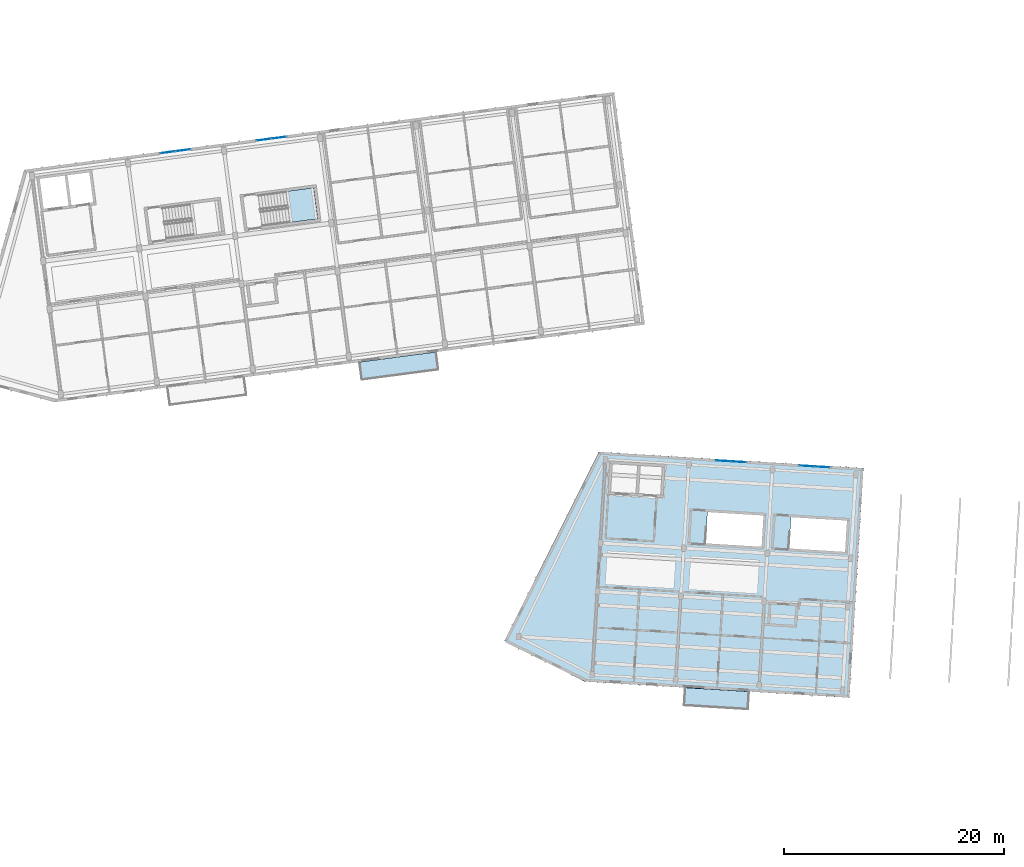
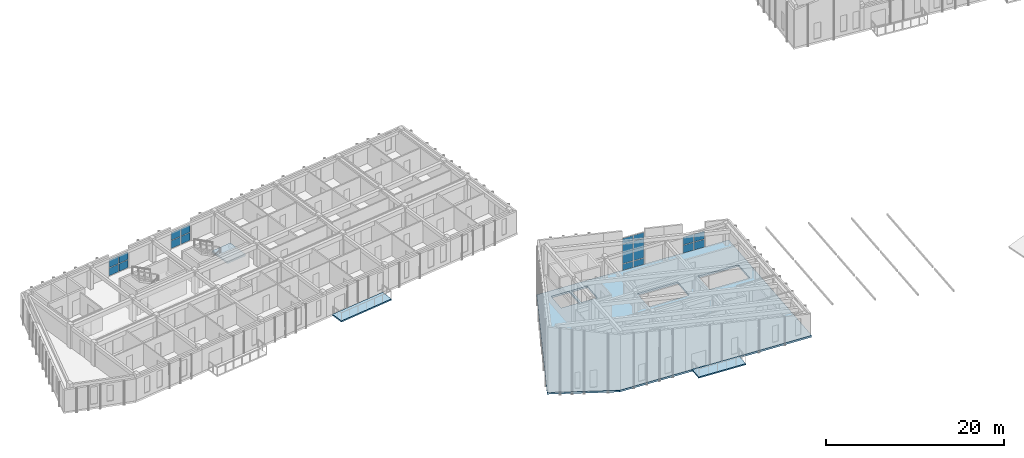
# One storey, part 15 of 45: 18 plates, 4 slabs, 5 elements without a shape of their own.
"""IFC4 building model written with IfcOpenShell, lengths in metres."""

from ifc_helpers import new_model, si_unit, direction, frame, origin, origin_2d, place, context, subcontext, project, spatial, polyline, rectangle, outline, extrude, material, layer, layer_set, type_object, element, aggregate, save


model = new_model("IFC4")

# Units and contexts
model_context = context("Model", 3, precision=1e-05, world=origin(), true_north=direction((0.0, 1.0)))
body_context = subcontext(model_context, "Body", "Model", "MODEL_VIEW")
ifc_project = project(units=[si_unit("LENGTHUNIT", "METRE"), si_unit("AREAUNIT", "SQUARE_METRE"), si_unit("VOLUMEUNIT", "CUBIC_METRE"), si_unit("PLANEANGLEUNIT", "RADIAN"), si_unit("MASSUNIT", "GRAM", prefix="KILO")], contexts=[model_context])

# Site, building, storey
site_placement = place(None, origin())
site = spatial("IfcSite", under=ifc_project, at=site_placement, CompositionType="ELEMENT")
building_placement = place(site_placement, origin())
building = spatial("IfcBuilding", under=site, at=building_placement, Name="Kestramere Prow Commons", CompositionType="ELEMENT")
storey_placement = place(building_placement, frame((0.0, 0.0, 31.14990234375)))
storey = spatial("IfcBuildingStorey", under=building, at=storey_placement, Name="L09", CompositionType="ELEMENT", Elevation=31.14990234375)

# Curtain wall, plates
ifc_material_1 = material(Name="Anodised Aluminium and Low-E Glass", Category="aluminium")
curtain_wall_type_1 = type_object("IfcCurtainWallType", Name="CW-03 Glazed Curtain Wall 2830x2320", PredefinedType="USERDEFINED", material=ifc_material_1)
curtain_wall_1_placement = place(storey_placement, origin())
curtain_wall_1 = element("IfcCurtainWall", 1, at=curtain_wall_1_placement, inside=storey, type_object=curtain_wall_type_1, Name="Block A L09 Stairwell Vertical Glazing 2", ObjectType="GLAZED CURTAIN WALL", PredefinedType="USERDEFINED")
ifc_material_2 = material(Name="Low-E Laminated Double Glazing", Category="glass")
ifc_layer_1 = layer(ifc_material_2, 0.028076171875)
ifc_layer_set_1 = layer_set([ifc_layer_1], Name="Low-E Laminated Double Glazing")
plate_type = type_object("IfcPlateType", Name="CW-PNL-28", PredefinedType="CURTAIN_PANEL", material=ifc_layer_set_1)
plate_1_placement = place(storey_placement, frame((20.922607421875, 93.982177734375, 0.065185546875), z_axis=(0.0, 0.0, 1.0), x_axis=(0.991444867297, 0.13052614723, 0.0)))
plate_1 = element("IfcPlate", 2, at=plate_1_placement, type_object=plate_type, Name="CW-03 panel 1.1", PredefinedType="CURTAIN_PANEL", context=body_context, shape_type="SweptSolid", body=[
    extrude(rectangle(XDim=1.3173828125, YDim=0.028076171875, at=origin_2d()), origin(), (0.0, 0.0, 1.0), 1.0625),
])
plate_2_placement = place(storey_placement, frame((20.922607421875, 93.982177734375, 1.192626953125), z_axis=(0.0, 0.0, 1.0), x_axis=(0.991444867297, 0.13052614723, 0.0)))
plate_2 = element("IfcPlate", 3, at=plate_2_placement, type_object=plate_type, Name="CW-03 panel 1.2", PredefinedType="CURTAIN_PANEL", context=body_context, shape_type="SweptSolid", body=[
    extrude(rectangle(XDim=1.3173828125, YDim=0.028076171875, at=origin_2d()), origin(), (0.0, 0.0, 1.0), 1.0625),
])
plate_3_placement = place(storey_placement, frame((22.29345703125, 94.16259765625, 0.065185546875), z_axis=(0.0, 0.0, 1.0), x_axis=(0.991444867297, 0.13052614723, 0.0)))
plate_3 = element("IfcPlate", 4, at=plate_3_placement, type_object=plate_type, Name="CW-03 panel 2.1", PredefinedType="CURTAIN_PANEL", context=body_context, shape_type="SweptSolid", body=[
    extrude(rectangle(XDim=1.3173828125, YDim=0.028076171875, at=origin_2d()), origin(), (0.0, 0.0, 1.0), 1.0625),
])
plate_4_placement = place(storey_placement, frame((22.29345703125, 94.16259765625, 1.192626953125), z_axis=(0.0, 0.0, 1.0), x_axis=(0.991444867297, 0.13052614723, 0.0)))
plate_4 = element("IfcPlate", 5, at=plate_4_placement, type_object=plate_type, Name="CW-03 panel 2.2", PredefinedType="CURTAIN_PANEL", context=body_context, shape_type="SweptSolid", body=[
    extrude(rectangle(XDim=1.3173828125, YDim=0.028076171875, at=origin_2d()), origin(), (0.0, 0.0, 1.0), 1.0625),
])
aggregate(curtain_wall_1, [plate_1, plate_2, plate_3, plate_4])

curtain_wall_2_placement = place(storey_placement, origin())
curtain_wall_2 = element("IfcCurtainWall", 6, at=curtain_wall_2_placement, inside=storey, type_object=curtain_wall_type_1, Name="Block A L09 Stairwell Vertical Glazing 3", ObjectType="GLAZED CURTAIN WALL", PredefinedType="USERDEFINED")
plate_5_placement = place(storey_placement, frame((29.6474609375, 95.130859375, 0.065185546875), z_axis=(0.0, 0.0, 1.0), x_axis=(0.991444821571, 0.130526494555, 0.0)))
plate_5 = element("IfcPlate", 7, at=plate_5_placement, type_object=plate_type, Name="CW-03 panel 1.1", PredefinedType="CURTAIN_PANEL", context=body_context, shape_type="SweptSolid", body=[
    extrude(rectangle(XDim=1.3173828125, YDim=0.028076171875, at=origin_2d()), origin(), (0.0, 0.0, 1.0), 1.0625),
])
plate_6_placement = place(storey_placement, frame((29.6474609375, 95.130859375, 1.192626953125), z_axis=(0.0, 0.0, 1.0), x_axis=(0.991444821571, 0.130526494555, 0.0)))
plate_6 = element("IfcPlate", 8, at=plate_6_placement, type_object=plate_type, Name="CW-03 panel 1.2", PredefinedType="CURTAIN_PANEL", context=body_context, shape_type="SweptSolid", body=[
    extrude(rectangle(XDim=1.3173828125, YDim=0.028076171875, at=origin_2d()), origin(), (0.0, 0.0, 1.0), 1.0625),
])
plate_7_placement = place(storey_placement, frame((31.01806640625, 95.311279296875, 0.065185546875), z_axis=(0.0, 0.0, 1.0), x_axis=(0.991444821571, 0.130526494555, 0.0)))
plate_7 = element("IfcPlate", 9, at=plate_7_placement, type_object=plate_type, Name="CW-03 panel 2.1", PredefinedType="CURTAIN_PANEL", context=body_context, shape_type="SweptSolid", body=[
    extrude(rectangle(XDim=1.3173828125, YDim=0.028076171875, at=origin_2d()), origin(), (0.0, 0.0, 1.0), 1.0625),
])
plate_8_placement = place(storey_placement, frame((31.01806640625, 95.311279296875, 1.192626953125), z_axis=(0.0, 0.0, 1.0), x_axis=(0.991444821571, 0.130526494555, 0.0)))
plate_8 = element("IfcPlate", 10, at=plate_8_placement, type_object=plate_type, Name="CW-03 panel 2.2", PredefinedType="CURTAIN_PANEL", context=body_context, shape_type="SweptSolid", body=[
    extrude(rectangle(XDim=1.3173828125, YDim=0.028076171875, at=origin_2d()), origin(), (0.0, 0.0, 1.0), 1.0625),
])
aggregate(curtain_wall_2, [plate_5, plate_6, plate_7, plate_8])

curtain_wall_type_2 = type_object("IfcCurtainWallType", Name="CW-08 Glazed Curtain Wall 2830x4540", PredefinedType="USERDEFINED", material=ifc_material_1)
curtain_wall_3_placement = place(storey_placement, origin())
curtain_wall_3 = element("IfcCurtainWall", 11, at=curtain_wall_3_placement, inside=storey, type_object=curtain_wall_type_2, Name="Block C L09 Stairwell Vertical Glazing 2", ObjectType="GLAZED CURTAIN WALL", PredefinedType="USERDEFINED")
plate_9_placement = place(storey_placement, frame((71.419921875, 65.93359375, 0.0751953125), z_axis=(0.0, 0.0, 1.0), x_axis=(0.99813480569, -0.061048420708, 0.0)))
plate_9 = element("IfcPlate", 12, at=plate_9_placement, type_object=plate_type, Name="CW-08 panel 1.1", PredefinedType="CURTAIN_PANEL", context=body_context, shape_type="SweptSolid", body=[
    extrude(rectangle(XDim=1.302490234375, YDim=0.028076171875, at=origin_2d()), origin(), (0.0, 0.0, 1.0), 0.83740234375),
])
plate_10_placement = place(storey_placement, frame((71.419921875, 65.93359375, 0.98779296875), z_axis=(0.0, 0.0, 1.0), x_axis=(0.99813480569, -0.061048420708, 0.0)))
plate_10 = element("IfcPlate", 13, at=plate_10_placement, type_object=plate_type, Name="CW-08 panel 1.2", PredefinedType="CURTAIN_PANEL", context=body_context, shape_type="SweptSolid", body=[
    extrude(rectangle(XDim=1.302490234375, YDim=0.028076171875, at=origin_2d()), origin(), (0.0, 0.0, 1.0), 2.659912109375),
])
plate_11_placement = place(storey_placement, frame((71.419921875, 65.93359375, 3.72265625), z_axis=(0.0, 0.0, 1.0), x_axis=(0.99813480569, -0.061048420708, 0.0)))
plate_11 = element("IfcPlate", 14, at=plate_11_placement, type_object=plate_type, Name="CW-08 panel 1.3", PredefinedType="CURTAIN_PANEL", context=body_context, shape_type="SweptSolid", body=[
    extrude(rectangle(XDim=1.302490234375, YDim=0.028076171875, at=origin_2d()), origin(), (0.0, 0.0, 1.0), 0.73779296875),
])
plate_12_placement = place(storey_placement, frame((72.794921875, 65.849365234375, 0.0751953125), z_axis=(0.0, 0.0, 1.0), x_axis=(0.99813480569, -0.061048420708, 0.0)))
plate_12 = element("IfcPlate", 15, at=plate_12_placement, type_object=plate_type, Name="CW-08 panel 2.1", PredefinedType="CURTAIN_PANEL", context=body_context, shape_type="SweptSolid", body=[
    extrude(rectangle(XDim=1.302490234375, YDim=0.028076171875, at=origin_2d()), origin(), (0.0, 0.0, 1.0), 0.83740234375),
])
plate_13_placement = place(storey_placement, frame((72.794921875, 65.849365234375, 0.98779296875), z_axis=(0.0, 0.0, 1.0), x_axis=(0.99813480569, -0.061048420708, 0.0)))
plate_13 = element("IfcPlate", 16, at=plate_13_placement, type_object=plate_type, Name="CW-08 panel 2.2", PredefinedType="CURTAIN_PANEL", context=body_context, shape_type="SweptSolid", body=[
    extrude(rectangle(XDim=1.302490234375, YDim=0.028076171875, at=origin_2d()), origin(), (0.0, 0.0, 1.0), 2.659912109375),
])
plate_14_placement = place(storey_placement, frame((72.794921875, 65.849365234375, 3.72265625), z_axis=(0.0, 0.0, 1.0), x_axis=(0.99813480569, -0.061048420708, 0.0)))
plate_14 = element("IfcPlate", 17, at=plate_14_placement, type_object=plate_type, Name="CW-08 panel 2.3", PredefinedType="CURTAIN_PANEL", context=body_context, shape_type="SweptSolid", body=[
    extrude(rectangle(XDim=1.302490234375, YDim=0.028076171875, at=origin_2d()), origin(), (0.0, 0.0, 1.0), 0.73779296875),
])
aggregate(curtain_wall_3, [plate_9, plate_10, plate_11, plate_12, plate_13, plate_14])

curtain_wall_4_placement = place(storey_placement, origin())
curtain_wall_4 = element("IfcCurtainWall", 18, at=curtain_wall_4_placement, inside=storey, type_object=curtain_wall_type_1, Name="Block C L09 Stairwell Vertical Glazing 3", ObjectType="GLAZED CURTAIN WALL", PredefinedType="USERDEFINED")
plate_15_placement = place(storey_placement, frame((79.003173828125, 65.4697265625, 0.065185546875), z_axis=(0.0, 0.0, 1.0), x_axis=(0.998134807007, -0.061048399176, 0.0)))
plate_15 = element("IfcPlate", 19, at=plate_15_placement, type_object=plate_type, Name="CW-03 panel 1.1", PredefinedType="CURTAIN_PANEL", context=body_context, shape_type="SweptSolid", body=[
    extrude(rectangle(XDim=1.3173828125, YDim=0.028076171875, at=origin_2d()), origin(), (0.0, 0.0, 1.0), 1.0625),
])
plate_16_placement = place(storey_placement, frame((79.003173828125, 65.4697265625, 1.192626953125), z_axis=(0.0, 0.0, 1.0), x_axis=(0.998134807007, -0.061048399176, 0.0)))
plate_16 = element("IfcPlate", 20, at=plate_16_placement, type_object=plate_type, Name="CW-03 panel 1.2", PredefinedType="CURTAIN_PANEL", context=body_context, shape_type="SweptSolid", body=[
    extrude(rectangle(XDim=1.3173828125, YDim=0.028076171875, at=origin_2d()), origin(), (0.0, 0.0, 1.0), 1.0625),
])
plate_17_placement = place(storey_placement, frame((80.383056640625, 65.38525390625, 0.065185546875), z_axis=(0.0, 0.0, 1.0), x_axis=(0.998134807007, -0.061048399176, 0.0)))
plate_17 = element("IfcPlate", 21, at=plate_17_placement, type_object=plate_type, Name="CW-03 panel 2.1", PredefinedType="CURTAIN_PANEL", context=body_context, shape_type="SweptSolid", body=[
    extrude(rectangle(XDim=1.3173828125, YDim=0.028076171875, at=origin_2d()), origin(), (0.0, 0.0, 1.0), 1.0625),
])
plate_18_placement = place(storey_placement, frame((80.383056640625, 65.38525390625, 1.192626953125), z_axis=(0.0, 0.0, 1.0), x_axis=(0.998134807007, -0.061048399176, 0.0)))
plate_18 = element("IfcPlate", 22, at=plate_18_placement, type_object=plate_type, Name="CW-03 panel 2.2", PredefinedType="CURTAIN_PANEL", context=body_context, shape_type="SweptSolid", body=[
    extrude(rectangle(XDim=1.3173828125, YDim=0.028076171875, at=origin_2d()), origin(), (0.0, 0.0, 1.0), 1.0625),
])
aggregate(curtain_wall_4, [plate_15, plate_16, plate_17, plate_18])

# Slabs
ifc_material_3 = material(Name="Precast concrete C40/50", Category="concrete")
ifc_layer_2 = layer(ifc_material_3, 0.179931640625)
ifc_layer_set_2 = layer_set([ifc_layer_2], Name="Precast concrete C40/50")
slab_type_1 = type_object("IfcSlabType", Name="SL-BALC-180", PredefinedType="FLOOR", material=ifc_layer_set_2)
slab_1_placement = place(storey_placement, frame((0.0, 0.0, -0.179931640625)))
element("IfcSlab", 23, at=slab_1_placement, inside=storey, type_object=slab_type_1, Name="Block A L09 Apartment Balcony Slab 4", PredefinedType="FLOOR", context=body_context, shape_type="SweptSolid", body=[
    extrude(outline(polyline([(38.51708984375, 73.276611328125), (45.556396484375, 74.203369140625), (45.341064453125, 75.839111328125), (38.3017578125, 74.912353515625), (38.51708984375, 73.276611328125)])), origin(), (0.0, 0.0, 1.0), 0.179931640625),
])
slab_2_placement = place(storey_placement, frame((0.0, 0.0, -0.179931640625)))
element("IfcSlab", 24, at=slab_2_placement, inside=storey, type_object=slab_type_1, Name="Block C L09 Apartment Balcony Slab 2", PredefinedType="FLOOR", context=body_context, shape_type="SweptSolid", body=[
    extrude(outline(polyline([(67.7939453125, 43.6884765625), (73.682861328125, 43.328125), (73.783447265625, 44.97509765625), (67.89453125, 45.33544921875), (67.7939453125, 43.6884765625)])), origin(), (0.0, 0.0, 1.0), 0.179931640625),
])
ifc_layer_3 = layer(ifc_material_3, 0.25)
ifc_layer_set_3 = layer_set([ifc_layer_3], Name="Precast concrete C40/50")
slab_type_2 = type_object("IfcSlabType", Name="SL-HC-250", PredefinedType="FLOOR", material=ifc_layer_set_3)
slab_3_placement = place(storey_placement, frame((0.0, 0.0, -0.25)))
element("IfcSlab", 25, at=slab_3_placement, inside=storey, type_object=slab_type_2, Name="Block C L09 Hollowcore Floor Slab", PredefinedType="FLOOR", context=body_context, shape_type="SweptSolid", body=[
    extrude(outline(polyline([(51.52392578125, 49.5927734375), (58.8115234375, 45.890869140625), (82.86669921875, 44.419677734375), (84.142578125, 65.28076171875), (60.08740234375, 66.751953125), (51.52392578125, 49.5927734375)]), holes=[polyline([(61.168212890625, 63.129150390625), (63.464111328125, 62.98876953125), (63.61962890625, 65.533935546875), (61.323974609375, 65.67431640625), (61.168212890625, 63.129150390625)]), polyline([(63.713623046875, 62.973388671875), (65.709716796875, 62.851318359375), (65.865478515625, 65.396728515625), (63.869140625, 65.518798828125), (63.713623046875, 62.973388671875)]), polyline([(69.79833984375, 58.443603515625), (74.888916015625, 58.13232421875), (75.062744140625, 60.976806640625), (69.972412109375, 61.288330078125), (69.79833984375, 58.443603515625)]), polyline([(77.38427734375, 57.9794921875), (82.474609375, 57.668212890625), (82.648681640625, 60.512939453125), (77.55810546875, 60.82421875), (77.38427734375, 57.9794921875)])]), origin(), (0.0, 0.0, 1.0), 0.25),
])

# Stair, slab
ifc_material_4 = material(Name="Concrete C40/50", Category="concrete")
stair_type = type_object("IfcStairType", Name="ST-DOG-1350", PredefinedType="HALF_TURN_STAIR", material=ifc_material_4)
stair_placement = place(storey_placement, origin())
stair = element("IfcStair", 26, at=stair_placement, inside=storey, type_object=stair_type, Name="L09 Block A Exit Stair 2", PredefinedType="HALF_TURN_STAIR")
ifc_layer_4 = layer(ifc_material_4, 0.199951171875)
ifc_layer_set_4 = layer_set([ifc_layer_4], Name="Concrete C40/50")
slab_type_3 = type_object("IfcSlabType", Name="SL-ST-LAND-200", PredefinedType="LANDING", material=ifc_layer_set_4)
slab_4_placement = place(storey_placement, frame((0.0, 0.0, 1.425048828125)))
slab_4 = element("IfcSlab", 27, at=slab_4_placement, type_object=slab_type_3, Name="ST-A2 landing 1", PredefinedType="LANDING", context=body_context, shape_type="SweptSolid", body=[
    extrude(outline(polyline([(32.011962890625, 87.599853515625), (34.56982421875, 87.936767578125), (34.19775390625, 90.76220703125), (31.639892578125, 90.425537109375), (32.011962890625, 87.599853515625)])), origin(), (0.0, 0.0, 1.0), 0.199951171875),
])
aggregate(stair, [slab_4])

save(model, "model.ifc")
